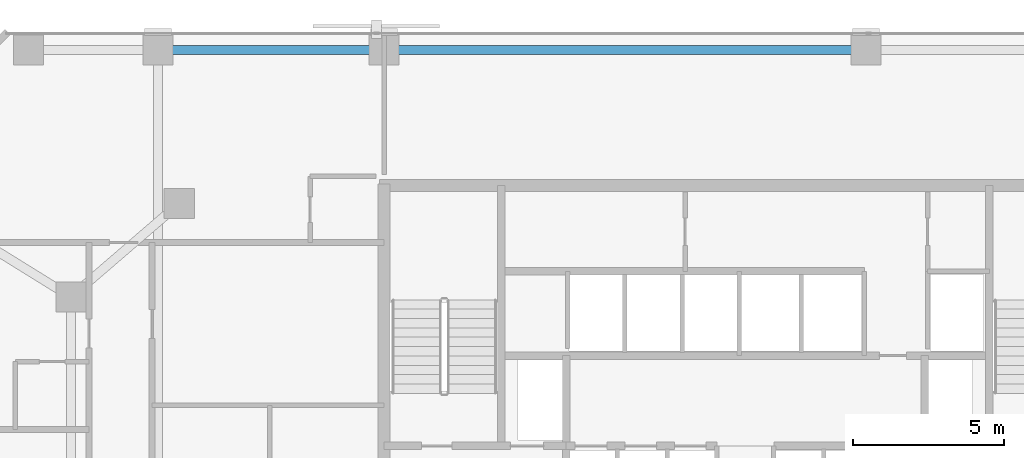
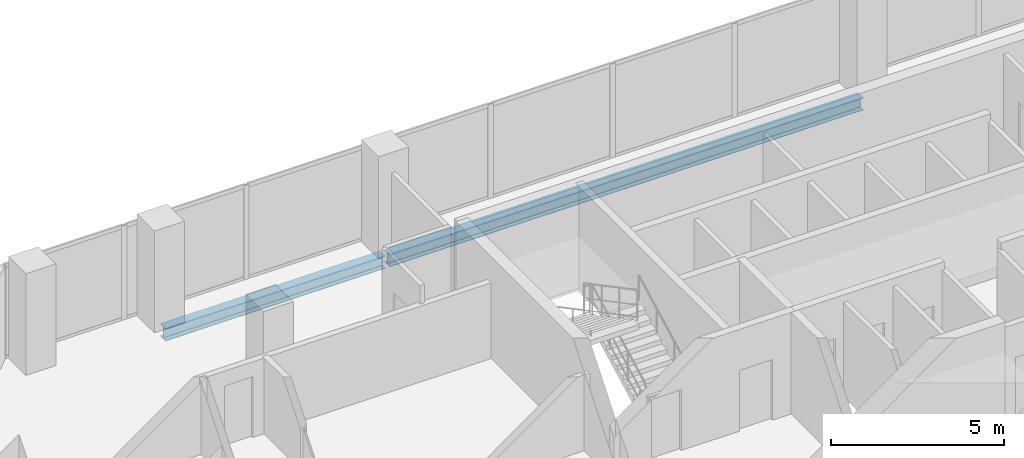
# One storey, part 19 of 31: 2 beams.
"""IFC4 building model written with IfcOpenShell, lengths in metres."""

from ifc_helpers import new_model, si_unit, direction, frame, origin, origin_2d, place, context, subcontext, project, spatial, i_section, extrude, material, material_profile, profile_set, type_object, element, save


model = new_model("IFC4")

# Units and contexts
model_context = context("Model", 3, precision=1e-05, world=origin(), true_north=direction((0.0, 1.0)))
body_context = subcontext(model_context, "Body", "Model", "MODEL_VIEW")
ifc_project = project(units=[si_unit("LENGTHUNIT", "METRE"), si_unit("AREAUNIT", "SQUARE_METRE"), si_unit("VOLUMEUNIT", "CUBIC_METRE"), si_unit("PLANEANGLEUNIT", "RADIAN"), si_unit("MASSUNIT", "GRAM", prefix="KILO")], contexts=[model_context])

# Site, building, storey
site_placement = place(None, origin())
site = spatial("IfcSite", under=ifc_project, at=site_placement, CompositionType="ELEMENT")
building_placement = place(site_placement, origin())
building = spatial("IfcBuilding", under=site, at=building_placement, Name="Catumbela Crestline Tower", CompositionType="ELEMENT")
storey_placement = place(building_placement, frame((0.0, 0.0, 25.8)))
storey = spatial("IfcBuildingStorey", under=building, at=storey_placement, Name="L05", CompositionType="ELEMENT", Elevation=25.8)

# Beams
ifc_material = material(Name="Structural steel S355J2", Category="steel")
ifc_material_profile = material_profile(ifc_material, i_section(OverallWidth=0.3, OverallDepth=0.45, WebThickness=0.014, FlangeThickness=0.026, FilletRadius=0.027, at=origin_2d()), Name="HEB 450")
ifc_profile_set = profile_set([ifc_material_profile], Name="Structural steel S355J2")
beam_type = type_object("IfcBeamType", Name="BS-HEB450", PredefinedType="SPANDREL", material=ifc_profile_set)
beam_1_placement = place(storey_placement, frame((8.58, 47.4, -0.485), z_axis=(1.0, 0.0, 0.0), x_axis=(0.0, 1.0, 0.0)))
element("IfcBeam", 1, at=beam_1_placement, inside=storey, type_object=beam_type, Name="L05 Spandrel SP-L05-NF20", PredefinedType="SPANDREL", context=body_context, shape_type="SweptSolid", body=[
    extrude(i_section(OverallWidth=0.3, OverallDepth=0.45, WebThickness=0.014, FlangeThickness=0.026, FilletRadius=0.027, at=origin_2d()), origin(), (0.0, 0.0, 1.0), 7.34),
])
beam_2_placement = place(storey_placement, frame((16.08, 47.4, -0.485), z_axis=(1.0, 0.0, 0.0), x_axis=(0.0, 1.0, 0.0)))
element("IfcBeam", 2, at=beam_2_placement, inside=storey, type_object=beam_type, Name="L05 Spandrel SP-L05-NF21", PredefinedType="SPANDREL", context=body_context, shape_type="SweptSolid", body=[
    extrude(i_section(OverallWidth=0.3, OverallDepth=0.45, WebThickness=0.014, FlangeThickness=0.026, FilletRadius=0.027, at=origin_2d()), origin(), (0.0, 0.0, 1.0), 15.84),
])

save(model, "model.ifc")
